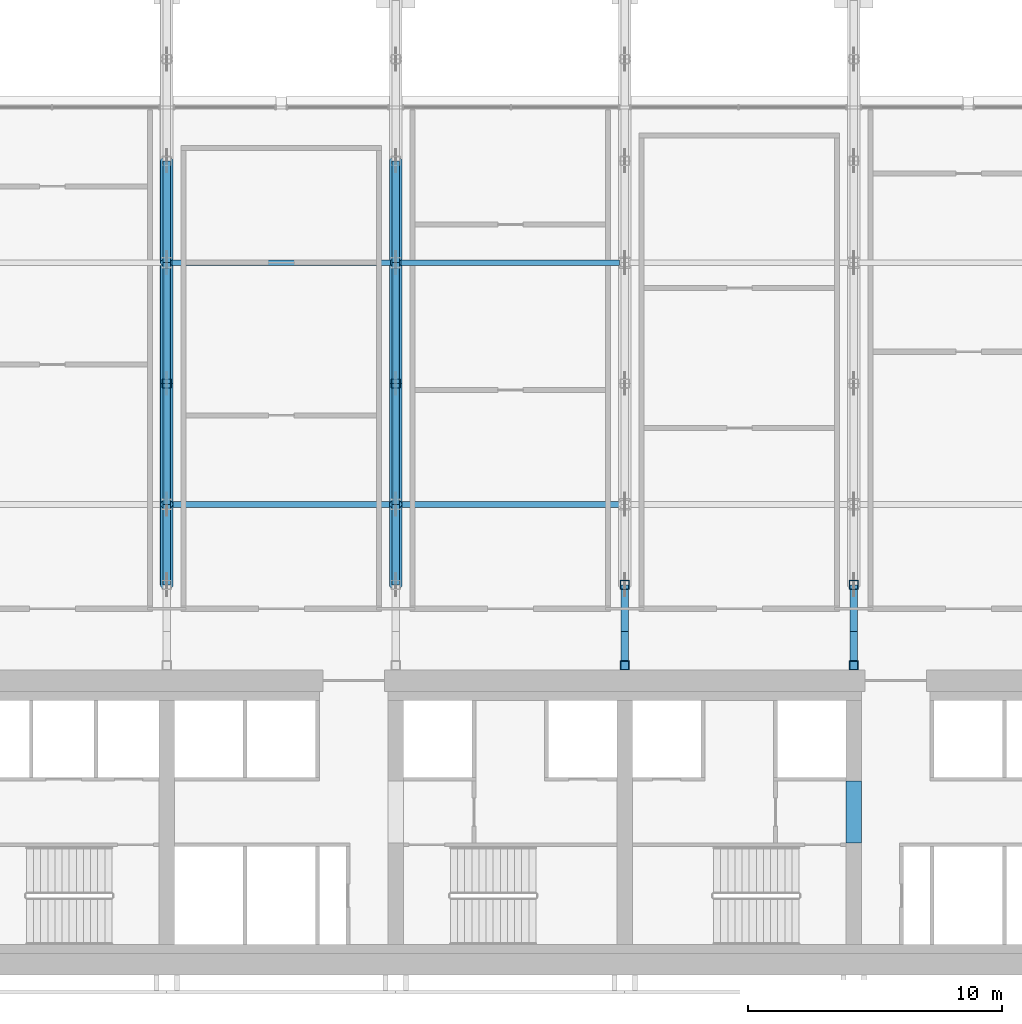
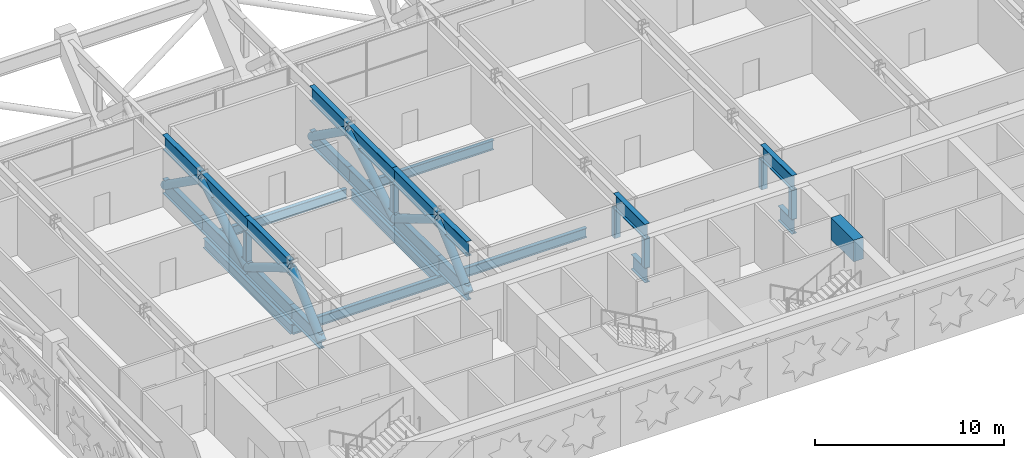
# One storey, part 3 of 23: 33 members, 6 beams.
"""IFC4 building model written with IfcOpenShell, lengths in metres."""

from ifc_helpers import new_model, si_unit, direction, frame, origin, origin_2d, place, context, subcontext, project, spatial, rectangle, hollow_rectangle, hollow_circle, i_section, extrude, material, material_profile, profile_set, type_object, element, save


model = new_model("IFC4")

# Units and contexts
model_context = context("Model", 3, precision=1e-05, world=origin(), true_north=direction((0.0, 1.0)))
body_context = subcontext(model_context, "Body", "Model", "MODEL_VIEW")
ifc_project = project(units=[si_unit("LENGTHUNIT", "METRE"), si_unit("AREAUNIT", "SQUARE_METRE"), si_unit("VOLUMEUNIT", "CUBIC_METRE"), si_unit("PLANEANGLEUNIT", "RADIAN"), si_unit("MASSUNIT", "GRAM", prefix="KILO")], contexts=[model_context])

# Site, building, storey
site_placement = place(None, origin())
site = spatial("IfcSite", under=ifc_project, at=site_placement, CompositionType="ELEMENT")
building_placement = place(site_placement, origin())
building = spatial("IfcBuilding", under=site, at=building_placement, Name="Zellij Exchange Tower", CompositionType="ELEMENT")
storey_placement = place(building_placement, frame((0.0, 0.0, 160.5)))
storey = spatial("IfcBuildingStorey", under=building, at=storey_placement, Name="L36", CompositionType="ELEMENT", Elevation=160.5)

# Beams
ifc_material_1 = material(Name="Concrete C60/75", Category="concrete")
ifc_material_profile_1 = material_profile(ifc_material_1, rectangle(XDim=0.60009765625, YDim=1.39990234375, at=origin_2d()), Name="CORE-CB 600x1400 C60/75")
ifc_profile_set_1 = profile_set([ifc_material_profile_1], Name="Concrete C60/75")
beam_type_1 = type_object("IfcBeamType", Name="CORE-CB 600x1400 C60/75", PredefinedType="BEAM", material=ifc_profile_set_1)
beam_1_placement = place(storey_placement, frame((9.0, -8.800048828125, 3.10009765625), z_axis=(0.0, 1.0, 0.0), x_axis=(-1.0, 0.0, 0.0)))
element("IfcBeam", 1, at=beam_1_placement, inside=storey, type_object=beam_type_1, Name="Core coupling beam x 9 L36", PredefinedType="BEAM", context=body_context, shape_type="SweptSolid", body=[
    extrude(rectangle(XDim=0.60009765625, YDim=1.39990234375, at=origin_2d()), origin(), (0.0, 0.0, 1.0), 2.425048828125),
])
ifc_material_2 = material(Name="Structural steel ASTM A992 Gr 50", Category="steel")
ifc_material_profile_2 = material_profile(ifc_material_2, i_section(OverallWidth=0.22900390625, OverallDepth=0.612060546875, WebThickness=0.011962890625, FlangeThickness=0.01953125, at=origin_2d()), Name="W24x84")
ifc_profile_set_2 = profile_set([ifc_material_profile_2], Name="Structural steel ASTM A992 Gr 50")
beam_type_2 = type_object("IfcBeamType", Name="STR-GIRDER W24x84", PredefinedType="BEAM", material=ifc_profile_set_2)
beam_2_placement = place(storey_placement, frame((-18.0, 4.5, -0.656005859375), z_axis=(1.0, 0.0, 0.0), x_axis=(0.0, 1.0, 0.0)))
element("IfcBeam", 2, at=beam_2_placement, inside=storey, type_object=beam_type_2, Name="G4", PredefinedType="BEAM", context=body_context, shape_type="SweptSolid", body=[
    extrude(i_section(OverallWidth=0.22900390625, OverallDepth=0.612060546875, WebThickness=0.011962890625, FlangeThickness=0.01953125, at=origin_2d()), origin(), (0.0, 0.0, 1.0), 18.0),
])
beam_3_placement = place(storey_placement, frame((-17.790283203125, 14.0, -0.656005859375), z_axis=(1.0, 0.0, 0.0), x_axis=(0.0, 1.0, 0.0)))
element("IfcBeam", 3, at=beam_3_placement, inside=storey, type_object=beam_type_2, Name="G4", PredefinedType="BEAM", context=body_context, shape_type="SweptSolid", body=[
    extrude(i_section(OverallWidth=0.22900390625, OverallDepth=0.612060546875, WebThickness=0.011962890625, FlangeThickness=0.01953125, at=origin_2d()), origin(), (0.0, 0.0, 1.0), 8.58056640625),
])
beam_4_placement = place(storey_placement, frame((-8.790283203125, 14.0, -0.656005859375), z_axis=(1.0, 0.0, 0.0), x_axis=(0.0, 1.0, 0.0)))
element("IfcBeam", 4, at=beam_4_placement, inside=storey, type_object=beam_type_2, Name="G4", PredefinedType="BEAM", context=body_context, shape_type="SweptSolid", body=[
    extrude(i_section(OverallWidth=0.22900390625, OverallDepth=0.612060546875, WebThickness=0.011962890625, FlangeThickness=0.01953125, at=origin_2d()), origin(), (0.0, 0.0, 1.0), 8.580810546875),
])
for number, where, z_axis, x_axis, name in (
    (5, (-18.0, 4.5, -0.656005859375), (0.0, 1.0, 0.0), (-1.0, 0.0, 0.0), "G4"),
    (6, (-9.0, 4.5, -0.656005859375), (0.0, 1.0, 0.0), (-1.0, 0.0, 0.0), "G4"),
):
    element("IfcBeam", number, at=place(storey_placement, frame(where, z_axis=z_axis, x_axis=x_axis)), inside=storey, type_object=beam_type_2, Name=name, PredefinedType="BEAM", context=body_context, shape_type="SweptSolid", body=[
        extrude(i_section(OverallWidth=0.22900390625, OverallDepth=0.612060546875, WebThickness=0.011962890625, FlangeThickness=0.01953125, at=origin_2d()), origin(), (0.0, 0.0, 1.0), 9.272705078125),
    ])

# Members
ifc_material_3 = material(Name="Structural steel ASTM A913 Gr 65", Category="steel")
ifc_material_profile_3 = material_profile(ifc_material_3, i_section(OverallWidth=0.2998046875, OverallDepth=0.965087890625, WebThickness=0.01904296875, FlangeThickness=0.0361328125, at=origin_2d()), Name="W40x249")
ifc_profile_set_3 = profile_set([ifc_material_profile_3], Name="Structural steel ASTM A913 Gr 65")
member_type_1 = type_object("IfcMemberType", Name="STR-OUTRIGGER TRUSS CHORD W40x249", PredefinedType="CHORD", material=ifc_profile_set_3)
member_1_placement = place(storey_placement, frame((-18.0, 1.339111328125, 0.482666015625), z_axis=(0.0, 1.0, 0.0), x_axis=(-1.0, 0.0, 0.0)))
element("IfcMember", 7, at=member_1_placement, inside=storey, type_object=member_type_1, Name="OT1", PredefinedType="CHORD", context=body_context, shape_type="SweptSolid", body=[
    extrude(i_section(OverallWidth=0.2998046875, OverallDepth=0.965087890625, WebThickness=0.01904296875, FlangeThickness=0.0361328125, at=origin_2d()), origin(), (0.0, 0.0, 1.0), 3.160888671875),
])
for number, where, z_axis, x_axis, name in (
    (8, (-18.0, 4.5, 3.3173828125), (0.0, 1.0, 0.0), (-1.0, 0.0, 0.0), "OT1"),
    (9, (-18.0, 4.5, 0.482666015625), (0.0, 1.0, 0.0), (-1.0, 0.0, 0.0), "OT1"),
    (10, (-18.0, 9.25, 3.3173828125), (0.0, 1.0, 0.0), (-1.0, 0.0, 0.0), "OT1"),
    (11, (-18.0, 9.25, 0.482666015625), (0.0, 1.0, 0.0), (-1.0, 0.0, 0.0), "OT1"),
):
    element("IfcMember", number, at=place(storey_placement, frame(where, z_axis=z_axis, x_axis=x_axis)), inside=storey, type_object=member_type_1, Name=name, PredefinedType="CHORD", context=body_context, shape_type="SweptSolid", body=[
        extrude(i_section(OverallWidth=0.2998046875, OverallDepth=0.965087890625, WebThickness=0.01904296875, FlangeThickness=0.0361328125, at=origin_2d()), origin(), (0.0, 0.0, 1.0), 4.75),
    ])
for number, where, z_axis, x_axis, name in (
    (12, (-18.0, 14.0, 3.3173828125), (0.0, 1.0, 0.0), (-1.0, 0.0, 0.0), "OT1"),
    (13, (-18.0, 14.0, 0.482666015625), (0.0, 1.0, 0.0), (-1.0, 0.0, 0.0), "OT1"),
):
    element("IfcMember", number, at=place(storey_placement, frame(where, z_axis=z_axis, x_axis=x_axis)), inside=storey, type_object=member_type_1, Name=name, PredefinedType="CHORD", context=body_context, shape_type="SweptSolid", body=[
        extrude(i_section(OverallWidth=0.2998046875, OverallDepth=0.965087890625, WebThickness=0.01904296875, FlangeThickness=0.0361328125, at=origin_2d()), origin(), (0.0, 0.0, 1.0), 4.0),
    ])
for number, where, z_axis, x_axis, name in (
    (14, (-9.0, 1.339111328125, 3.3173828125), (0.0, 1.0, 0.0), (-1.0, 0.0, 0.0), "OT1"),
    (15, (-9.0, 1.339111328125, 0.482666015625), (0.0, 1.0, 0.0), (-1.0, 0.0, 0.0), "OT1"),
):
    element("IfcMember", number, at=place(storey_placement, frame(where, z_axis=z_axis, x_axis=x_axis)), inside=storey, type_object=member_type_1, Name=name, PredefinedType="CHORD", context=body_context, shape_type="SweptSolid", body=[
        extrude(i_section(OverallWidth=0.2998046875, OverallDepth=0.965087890625, WebThickness=0.01904296875, FlangeThickness=0.0361328125, at=origin_2d()), origin(), (0.0, 0.0, 1.0), 3.160888671875),
    ])
for number, where, z_axis, x_axis, name in (
    (16, (-9.0, 4.5, 3.3173828125), (0.0, 1.0, 0.0), (-1.0, 0.0, 0.0), "OT1"),
    (17, (-9.0, 4.5, 0.482666015625), (0.0, 1.0, 0.0), (-1.0, 0.0, 0.0), "OT1"),
    (18, (-9.0, 9.25, 3.3173828125), (0.0, 1.0, 0.0), (-1.0, 0.0, 0.0), "OT1"),
    (19, (-9.0, 9.25, 0.482666015625), (0.0, 1.0, 0.0), (-1.0, 0.0, 0.0), "OT1"),
):
    element("IfcMember", number, at=place(storey_placement, frame(where, z_axis=z_axis, x_axis=x_axis)), inside=storey, type_object=member_type_1, Name=name, PredefinedType="CHORD", context=body_context, shape_type="SweptSolid", body=[
        extrude(i_section(OverallWidth=0.2998046875, OverallDepth=0.965087890625, WebThickness=0.01904296875, FlangeThickness=0.0361328125, at=origin_2d()), origin(), (0.0, 0.0, 1.0), 4.75),
    ])
for number, where, z_axis, x_axis, name in (
    (20, (-9.0, 14.0, 3.3173828125), (0.0, 1.0, 0.0), (-1.0, 0.0, 0.0), "OT1"),
    (21, (-9.0, 14.0, 0.482666015625), (0.0, 1.0, 0.0), (-1.0, 0.0, 0.0), "OT1"),
):
    element("IfcMember", number, at=place(storey_placement, frame(where, z_axis=z_axis, x_axis=x_axis)), inside=storey, type_object=member_type_1, Name=name, PredefinedType="CHORD", context=body_context, shape_type="SweptSolid", body=[
        extrude(i_section(OverallWidth=0.2998046875, OverallDepth=0.965087890625, WebThickness=0.01904296875, FlangeThickness=0.0361328125, at=origin_2d()), origin(), (0.0, 0.0, 1.0), 4.0),
    ])
member_2_placement = place(storey_placement, frame((0.0, -2.0, 3.3173828125), z_axis=(0.0, 1.0, 0.0), x_axis=(-1.0, 0.0, 0.0)))
element("IfcMember", 22, at=member_2_placement, inside=storey, type_object=member_type_1, Name="OT1", PredefinedType="CHORD", context=body_context, shape_type="SweptSolid", body=[
    extrude(i_section(OverallWidth=0.2998046875, OverallDepth=0.965087890625, WebThickness=0.01904296875, FlangeThickness=0.0361328125, at=origin_2d()), origin(), (0.0, 0.0, 1.0), 3.339111328125),
])
member_3_placement = place(storey_placement, frame((0.0, -2.0, 0.482666015625), z_axis=(0.0, 1.0, 0.0), x_axis=(-1.0, 0.0, 0.0)))
element("IfcMember", 23, at=member_3_placement, inside=storey, type_object=member_type_1, Name="OT1", PredefinedType="CHORD", context=body_context, shape_type="SweptSolid", body=[
    extrude(i_section(OverallWidth=0.2998046875, OverallDepth=0.965087890625, WebThickness=0.01904296875, FlangeThickness=0.0361328125, at=origin_2d()), origin(), (0.0, 0.0, 1.0), 1.5),
])
member_4_placement = place(storey_placement, frame((9.0, -2.0, 3.3173828125), z_axis=(0.0, 1.0, 0.0), x_axis=(-1.0, 0.0, 0.0)))
element("IfcMember", 24, at=member_4_placement, inside=storey, type_object=member_type_1, Name="OT1", PredefinedType="CHORD", context=body_context, shape_type="SweptSolid", body=[
    extrude(i_section(OverallWidth=0.2998046875, OverallDepth=0.965087890625, WebThickness=0.01904296875, FlangeThickness=0.0361328125, at=origin_2d()), origin(), (0.0, 0.0, 1.0), 3.339111328125),
])
member_5_placement = place(storey_placement, frame((9.0, -2.0, 0.482666015625), z_axis=(0.0, 1.0, 0.0), x_axis=(-1.0, 0.0, 0.0)))
element("IfcMember", 25, at=member_5_placement, inside=storey, type_object=member_type_1, Name="OT1", PredefinedType="CHORD", context=body_context, shape_type="SweptSolid", body=[
    extrude(i_section(OverallWidth=0.2998046875, OverallDepth=0.965087890625, WebThickness=0.01904296875, FlangeThickness=0.0361328125, at=origin_2d()), origin(), (0.0, 0.0, 1.0), 1.5),
])
ifc_material_4 = material(Name="Structural steel ASTM A500 Gr C", Category="steel")
ifc_material_profile_4 = material_profile(ifc_material_4, hollow_circle(Radius=0.25390625, WallThickness=0.01171875, at=origin_2d()), Name="STR-OUTRIGGER TRUSS DIAGONAL HSS20.000x0.500")
ifc_profile_set_4 = profile_set([ifc_material_profile_4], Name="Structural steel ASTM A500 Gr C")
member_type_2 = type_object("IfcMemberType", Name="STR-OUTRIGGER TRUSS DIAGONAL HSS20.000x0.500", PredefinedType="BRACE", material=ifc_profile_set_4)
member_6_placement = place(storey_placement, frame((-18.0, 1.339111328125, 0.482666015625), z_axis=(0.0, 0.744473836996, 0.667651635233), x_axis=(-1.0, 0.0, 0.0)))
element("IfcMember", 26, at=member_6_placement, inside=storey, type_object=member_type_2, Name="OT2", PredefinedType="BRACE", context=body_context, shape_type="SweptSolid", body=[
    extrude(hollow_circle(Radius=0.25390625, WallThickness=0.01171875, at=origin_2d()), origin(), (0.0, 0.0, 1.0), 4.245849609375),
])
for number, where, z_axis, x_axis, name in (
    (27, (-18.0, 4.5, 3.3173828125), (0.0, 0.858709450823, -0.512462758712), (-1.0, 0.0, 0.0), "OT2"),
    (28, (-18.0, 9.25, 0.482666015625), (0.0, 0.858709450823, 0.512462758712), (-1.0, 0.0, 0.0), "OT2"),
):
    element("IfcMember", number, at=place(storey_placement, frame(where, z_axis=z_axis, x_axis=x_axis)), inside=storey, type_object=member_type_2, Name=name, PredefinedType="BRACE", context=body_context, shape_type="SweptSolid", body=[
        extrude(hollow_circle(Radius=0.25390625, WallThickness=0.01171875, at=origin_2d()), origin(), (0.0, 0.0, 1.0), 5.531494140625),
    ])
member_7_placement = place(storey_placement, frame((-18.0, 14.0, 3.3173828125), z_axis=(0.0, 0.815891357609, -0.57820523396), x_axis=(-1.0, 0.0, 0.0)))
element("IfcMember", 29, at=member_7_placement, inside=storey, type_object=member_type_2, Name="OT2", PredefinedType="BRACE", context=body_context, shape_type="SweptSolid", body=[
    extrude(hollow_circle(Radius=0.25390625, WallThickness=0.01171875, at=origin_2d()), origin(), (0.0, 0.0, 1.0), 4.902587890625),
])
member_8_placement = place(storey_placement, frame((-9.0, 1.339111328125, 0.482666015625), z_axis=(0.0, 0.744473836996, 0.667651635233), x_axis=(-1.0, 0.0, 0.0)))
element("IfcMember", 30, at=member_8_placement, inside=storey, type_object=member_type_2, Name="OT2", PredefinedType="BRACE", context=body_context, shape_type="SweptSolid", body=[
    extrude(hollow_circle(Radius=0.25390625, WallThickness=0.01171875, at=origin_2d()), origin(), (0.0, 0.0, 1.0), 4.245849609375),
])
for number, where, z_axis, x_axis, name in (
    (31, (-9.0, 4.5, 3.3173828125), (0.0, 0.858709450823, -0.512462758712), (-1.0, 0.0, 0.0), "OT2"),
    (32, (-9.0, 9.25, 0.482666015625), (0.0, 0.858709450823, 0.512462758712), (-1.0, 0.0, 0.0), "OT2"),
):
    element("IfcMember", number, at=place(storey_placement, frame(where, z_axis=z_axis, x_axis=x_axis)), inside=storey, type_object=member_type_2, Name=name, PredefinedType="BRACE", context=body_context, shape_type="SweptSolid", body=[
        extrude(hollow_circle(Radius=0.25390625, WallThickness=0.01171875, at=origin_2d()), origin(), (0.0, 0.0, 1.0), 5.531494140625),
    ])
member_9_placement = place(storey_placement, frame((-9.0, 14.0, 3.3173828125), z_axis=(0.0, 0.815891357609, -0.57820523396), x_axis=(-1.0, 0.0, 0.0)))
element("IfcMember", 33, at=member_9_placement, inside=storey, type_object=member_type_2, Name="OT2", PredefinedType="BRACE", context=body_context, shape_type="SweptSolid", body=[
    extrude(hollow_circle(Radius=0.25390625, WallThickness=0.01171875, at=origin_2d()), origin(), (0.0, 0.0, 1.0), 4.902587890625),
])
ifc_material_profile_5 = material_profile(ifc_material_4, hollow_rectangle(XDim=0.355712890625, YDim=0.355712890625, WallThickness=0.01171875, InnerFilletRadius=0.01171875, OuterFilletRadius=0.023681640625, at=origin_2d()), Name="STR-OUTRIGGER TRUSS POST HSS14x14x1/2")
ifc_profile_set_5 = profile_set([ifc_material_profile_5], Name="Structural steel ASTM A500 Gr C")
member_type_3 = type_object("IfcMemberType", Name="STR-OUTRIGGER TRUSS POST HSS14x14x1/2", PredefinedType="POST", material=ifc_profile_set_5)
for number, where, z_axis, x_axis, name in (
    (34, (-18.0, 9.25, 0.965087890625), (0.0, 0.0, 1.0), (1.0, 0.0, 0.0), "OT3"),
    (35, (-9.0, 9.25, 0.965087890625), (0.0, 0.0, 1.0), (1.0, 0.0, 0.0), "OT3"),
    (36, (0.0, -1.822265625, 0.965087890625), (0.0, 0.0, 1.0), (1.0, 0.0, 0.0), "OT3"),
    (37, (0.0, 1.339111328125, 0.965087890625), (0.0, 0.0, 1.0), (1.0, 0.0, 0.0), "OT3"),
    (38, (9.0, -1.822265625, 0.965087890625), (0.0, 0.0, 1.0), (1.0, 0.0, 0.0), "OT3"),
    (39, (9.0, 1.339111328125, 0.965087890625), (0.0, 0.0, 1.0), (1.0, 0.0, 0.0), "OT3"),
):
    element("IfcMember", number, at=place(storey_placement, frame(where, z_axis=z_axis, x_axis=x_axis)), inside=storey, type_object=member_type_3, Name=name, PredefinedType="POST", context=body_context, shape_type="SweptSolid", body=[
        extrude(hollow_rectangle(XDim=0.355712890625, YDim=0.355712890625, WallThickness=0.01171875, InnerFilletRadius=0.01171875, OuterFilletRadius=0.023681640625, at=origin_2d()), origin(), (0.0, 0.0, 1.0), 1.86962890625),
    ])

save(model, "model.ifc")
